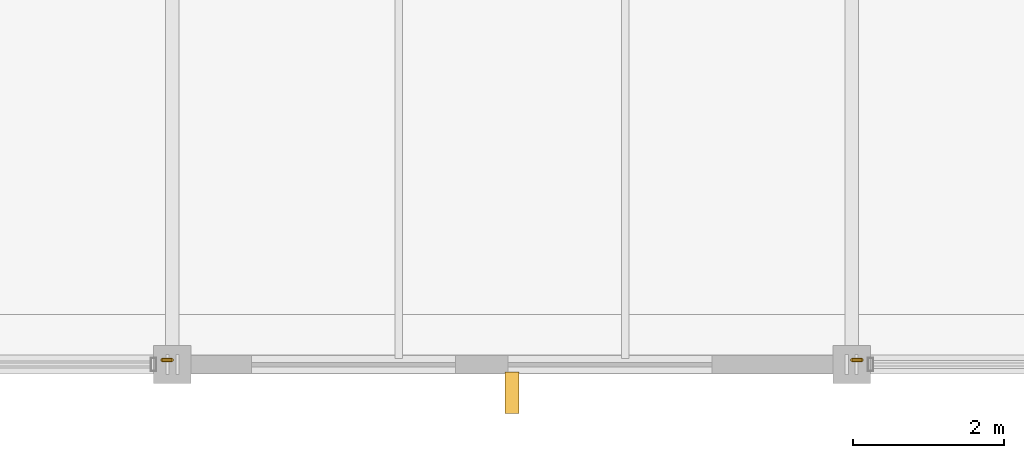
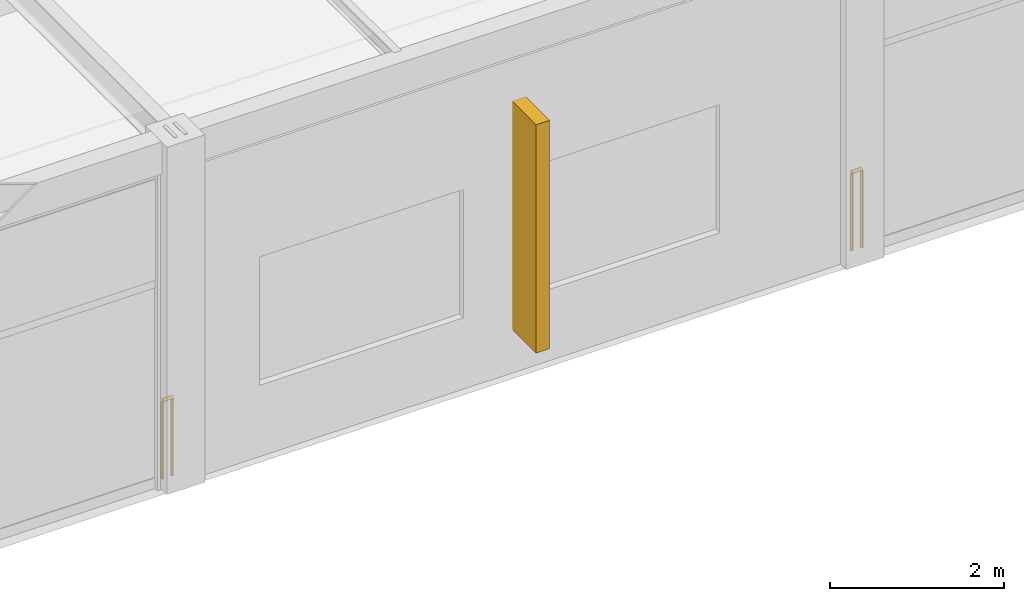
# One storey, part 184 of 195: 2 railings, 1 shading device.
"""IFC4 building model written with IfcOpenShell, lengths in metres."""

from ifc_helpers import new_model, si_unit, direction, frame, origin, origin_2d, place, context, subcontext, project, spatial, rectangle, circle, extrude, material, type_object, element, save


model = new_model("IFC4")

# Units and contexts
model_context = context("Model", 3, precision=1e-05, world=origin(), true_north=direction((0.0, 1.0)))
body_context = subcontext(model_context, "Body", "Model", "MODEL_VIEW")
ifc_project = project(units=[si_unit("LENGTHUNIT", "METRE"), si_unit("AREAUNIT", "SQUARE_METRE"), si_unit("VOLUMEUNIT", "CUBIC_METRE"), si_unit("PLANEANGLEUNIT", "RADIAN"), si_unit("MASSUNIT", "GRAM", prefix="KILO")], contexts=[model_context])

# Site, building, storey
site_placement = place(None, origin())
site = spatial("IfcSite", under=ifc_project, at=site_placement, CompositionType="ELEMENT")
building_placement = place(site_placement, origin())
building = spatial("IfcBuilding", under=site, at=building_placement, Name="Marlcrest Central Station", CompositionType="ELEMENT")
storey_placement = place(building_placement, frame((0.0, 0.0, 9.800048828125)))
storey = spatial("IfcBuildingStorey", under=building, at=storey_placement, Name="L02", CompositionType="ELEMENT", Elevation=9.800048828125)

# Railings
ifc_material_1 = material(Name="Stainless steel and laminated glass concourse balustrade", Category="steel")
railing_type = type_object("IfcRailingType", Name="GR-02", PredefinedType="BALUSTRADE", material=ifc_material_1)
for number, where, name in (
    (1, (171.135009765625, 0.06005859375, 0.0), "hr-L02-00351"),
    (2, (161.9970703125, 0.06005859375, 0.0), "hr-L02-00352"),
):
    element("IfcRailing", number, at=place(storey_placement, frame(where)), inside=storey, type_object=railing_type, Name=name, PredefinedType="BALUSTRADE", context=body_context, shape_type="SweptSolid", body=[
        extrude(circle(Radius=0.02392578125, at=origin_2d()), frame((0.0, 0.0, 1.09619140625), z_axis=(-1.0, 0.0, 0.0), x_axis=(0.0, -1.0, 0.0)), (0.0, 0.0, 1.0), 0.132080078125),
        extrude(circle(Radius=0.02099609375, at=origin_2d()), origin(), (0.0, 0.0, 1.0), 1.072021484375),
        extrude(circle(Radius=0.02099609375, at=origin_2d()), frame((-0.132080078125, 0.0, 0.0)), (0.0, 0.0, 1.0), 1.072021484375),
    ])

# Shading device
ifc_material_2 = material(Name="Precast concrete C40/50", Category="concrete")
shading_device_type = type_object("IfcShadingDeviceType", Name="SD-BS2", PredefinedType="USERDEFINED", material=ifc_material_2)
shading_device_placement = place(storey_placement, frame((166.5, -0.375, 0.59521484375), z_axis=(0.0, 0.0, 1.0), x_axis=(1.0, 0.0, 0.0)))
element("IfcShadingDevice", 3, at=shading_device_placement, inside=storey, type_object=shading_device_type, Name="shd-L02-0029", ObjectType="BRISE_SOLEIL", PredefinedType="USERDEFINED", context=body_context, shape_type="SweptSolid", body=[
    extrude(rectangle(XDim=0.179931640625, YDim=0.550048828125, at=origin_2d()), origin(), (0.0, 0.0, 1.0), 3.199951171875),
])

save(model, "model.ifc")
